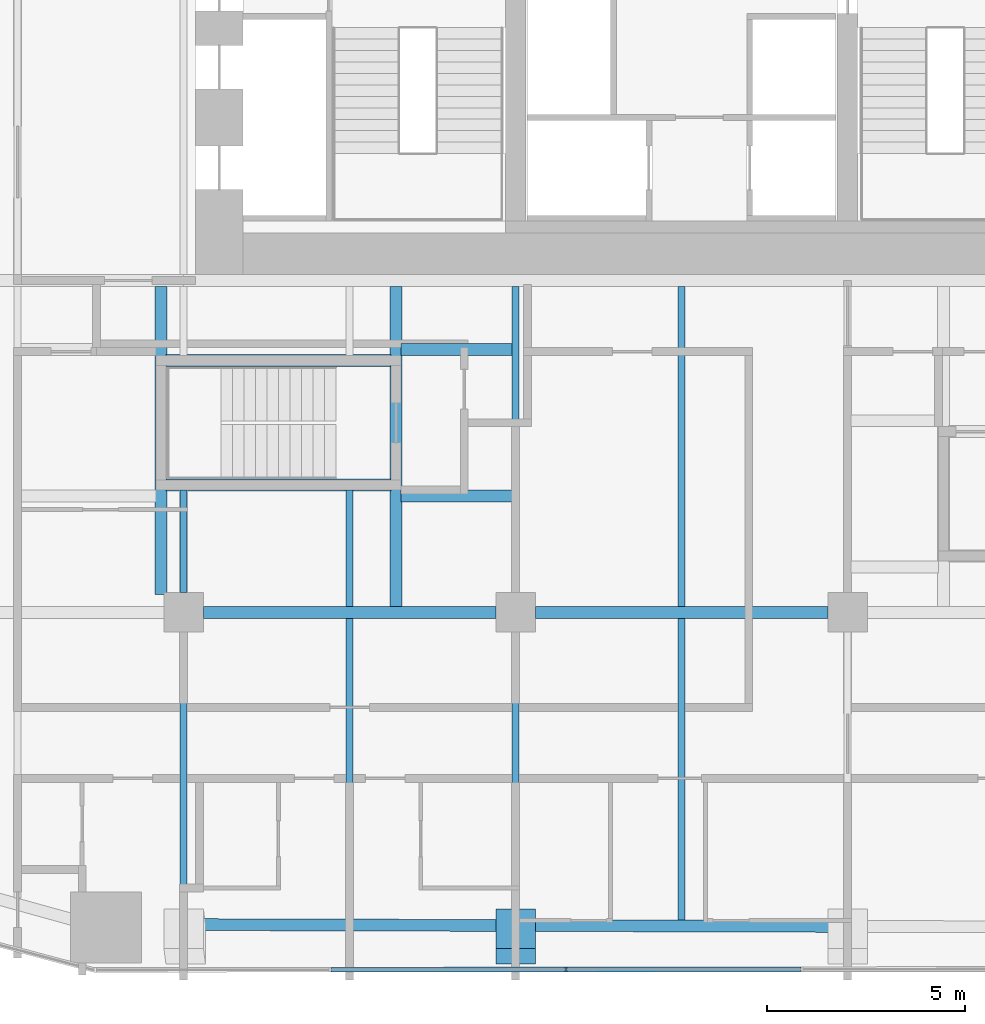
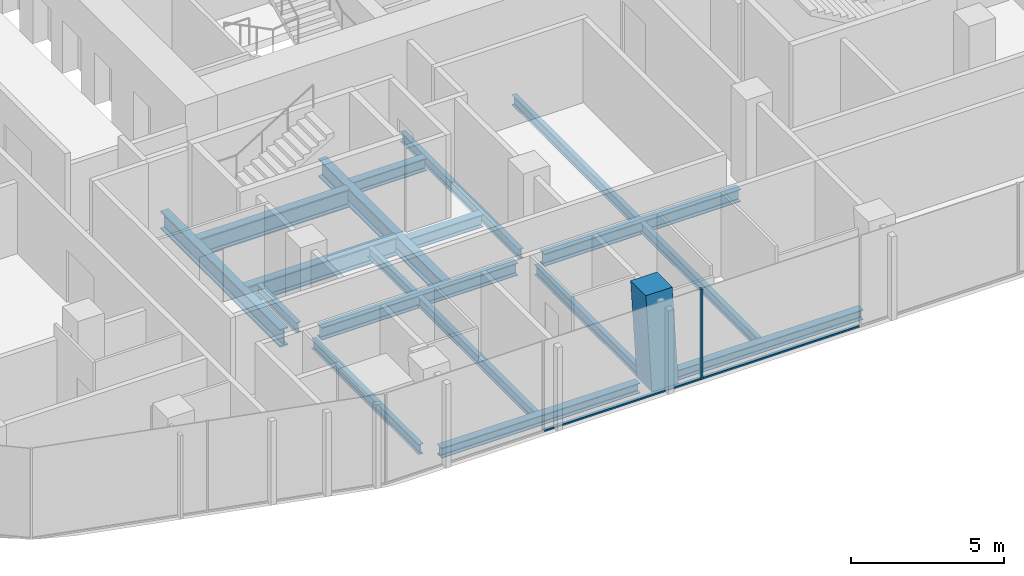
# One storey, part 3 of 27: 18 beams, 4 members, 1 element without a shape of its own.
"""IFC4 building model written with IfcOpenShell, lengths in metres."""

from ifc_helpers import new_model, si_unit, direction, frame, origin, origin_2d, place, context, subcontext, project, spatial, rectangle, i_section, extrude, material, layer, layer_set, material_profile, profile_set, type_object, element, aggregate, save


model = new_model("IFC4")

# Units and contexts
model_context = context("Model", 3, precision=1e-05, world=origin(), true_north=direction((0.0, 1.0)))
body_context = subcontext(model_context, "Body", "Model", "MODEL_VIEW")
ifc_project = project(units=[si_unit("LENGTHUNIT", "METRE"), si_unit("AREAUNIT", "SQUARE_METRE"), si_unit("VOLUMEUNIT", "CUBIC_METRE"), si_unit("PLANEANGLEUNIT", "RADIAN"), si_unit("MASSUNIT", "GRAM", prefix="KILO")], contexts=[model_context])

# Site, building, storey
site_placement = place(None, origin())
site = spatial("IfcSite", under=ifc_project, at=site_placement, CompositionType="ELEMENT")
building_placement = place(site_placement, origin())
building = spatial("IfcBuilding", under=site, at=building_placement, Name="Marenta Gate Hotel Tower", CompositionType="ELEMENT")
storey_placement = place(building_placement, frame((0.0, 0.0, 36.5)))
storey = spatial("IfcBuildingStorey", under=building, at=storey_placement, Name="L06", CompositionType="ELEMENT", Elevation=36.5)

# Beams
ifc_material_1 = material(Name="Steel S355", Category="steel")
ifc_material_profile_1 = material_profile(ifc_material_1, i_section(OverallWidth=0.300048828125, OverallDepth=0.39990234375, WebThickness=0.013427734375, FlangeThickness=0.02392578125, FilletRadius=0.027099609375, at=origin_2d()), Name="HEB 400")
ifc_profile_set_1 = profile_set([ifc_material_profile_1], Name="Steel S355")
beam_type_1 = type_object("IfcBeamType", Name="Edge beam HEB 400", PredefinedType="SPANDREL", material=ifc_profile_set_1)
for number, where, z_axis, x_axis, name in (
    (1, (3.739990234375, -16.3427734375, -0.35009765625), (-0.99999624158, 0.002741683018, 0.0), (-0.002741683018, -0.99999624158, 0.0), "L06-EB-33"),
    (2, (-4.659912109375, -16.31982421875, -0.35009765625), (-0.999996151562, 0.002774321851, 0.0), (-0.002774321851, -0.999996151562, 0.0), "L06-EB-34"),
):
    element("IfcBeam", number, at=place(storey_placement, frame(where, z_axis=z_axis, x_axis=x_axis)), inside=storey, type_object=beam_type_1, Name=name, PredefinedType="SPANDREL", context=body_context, shape_type="SweptSolid", body=[
        extrude(i_section(OverallWidth=0.300048828125, OverallDepth=0.39990234375, WebThickness=0.013427734375, FlangeThickness=0.02392578125, FilletRadius=0.027099609375, at=origin_2d()), origin(), (0.0, 0.0, 1.0), 7.47998046875),
    ])

# Member
ifc_material_2 = material(Name="Concrete C80", Category="concrete")
ifc_material_profile_2 = material_profile(ifc_material_2, rectangle(XDim=1.0, YDim=1.0, at=origin_2d()), Name="1000 x 1000")
ifc_profile_set_2 = profile_set([ifc_material_profile_2], Name="Concrete C80")
member_type_1 = type_object("IfcMemberType", Name="Edge column raked 1000 x 1000 C80", PredefinedType="STRUT", material=ifc_profile_set_2)
member_1_placement = place(storey_placement, frame((-4.199951171875, -16.800048828125, 0.0), z_axis=(0.0, 0.0, 1.0), x_axis=(1.0, 0.0, 0.0)))
element("IfcMember", 3, at=member_1_placement, inside=storey, type_object=member_type_1, Name="L06-EC-SKE-SKW-3", PredefinedType="STRUT", context=body_context, shape_type="SweptSolid", body=[
    extrude(rectangle(XDim=1.0, YDim=1.0, at=origin_2d()), origin(), (0.0, 0.110468513774, 0.993879624232), 3.622314453125),
])

# Beams
ifc_material_3 = material(Name="Steel S355", Category="steel")
ifc_material_profile_3 = material_profile(ifc_material_3, i_section(OverallWidth=0.179931640625, OverallDepth=0.39990234375, WebThickness=0.008544921875, FlangeThickness=0.013427734375, FilletRadius=0.02099609375, at=origin_2d()), Name="IPE 400")
ifc_profile_set_3 = profile_set([ifc_material_profile_3], Name="Steel S355")
beam_type_2 = type_object("IfcBeamType", Name="Floor beam IPE 400", PredefinedType="JOIST", material=ifc_profile_set_3)
beam_1_placement = place(storey_placement, frame((-12.60009765625, -15.89990234375, -0.35009765625), z_axis=(0.0, 1.0, 0.0), x_axis=(-1.0, 0.0, 0.0)))
element("IfcBeam", 4, at=beam_1_placement, inside=storey, type_object=beam_type_2, Name="L06-FB-20", PredefinedType="JOIST", context=body_context, shape_type="SweptSolid", body=[
    extrude(i_section(OverallWidth=0.179931640625, OverallDepth=0.39990234375, WebThickness=0.008544921875, FlangeThickness=0.013427734375, FilletRadius=0.02099609375, at=origin_2d()), origin(), (0.0, 0.0, 1.0), 7.0),
])
beam_2_placement = place(storey_placement, frame((-12.60009765625, -7.89990234375, -0.35009765625), z_axis=(0.0, 1.0, 0.0), x_axis=(-1.0, 0.0, 0.0)))
element("IfcBeam", 5, at=beam_2_placement, inside=storey, type_object=beam_type_2, Name="L06-FB-21", PredefinedType="JOIST", context=body_context, shape_type="SweptSolid", body=[
    extrude(i_section(OverallWidth=0.179931640625, OverallDepth=0.39990234375, WebThickness=0.008544921875, FlangeThickness=0.013427734375, FilletRadius=0.02099609375, at=origin_2d()), origin(), (0.0, 0.0, 1.0), 2.599853515625),
])
beam_3_placement = place(storey_placement, frame((-8.39990234375, -16.159423828125, -0.35009765625), z_axis=(0.0, 1.0, 0.0), x_axis=(-1.0, 0.0, 0.0)))
element("IfcBeam", 6, at=beam_3_placement, inside=storey, type_object=beam_type_2, Name="L06-FB-27", PredefinedType="JOIST", context=body_context, shape_type="SweptSolid", body=[
    extrude(i_section(OverallWidth=0.179931640625, OverallDepth=0.39990234375, WebThickness=0.008544921875, FlangeThickness=0.013427734375, FilletRadius=0.02099609375, at=origin_2d()), origin(), (0.0, 0.0, 1.0), 7.609375),
])
beam_4_placement = place(storey_placement, frame((-8.39990234375, -8.25, -0.35009765625), z_axis=(0.0, 1.0, 0.0), x_axis=(-1.0, 0.0, 0.0)))
element("IfcBeam", 7, at=beam_4_placement, inside=storey, type_object=beam_type_2, Name="L06-FB-28", PredefinedType="JOIST", context=body_context, shape_type="SweptSolid", body=[
    extrude(i_section(OverallWidth=0.179931640625, OverallDepth=0.39990234375, WebThickness=0.008544921875, FlangeThickness=0.013427734375, FilletRadius=0.02099609375, at=origin_2d()), origin(), (0.0, 0.0, 1.0), 2.949951171875),
])
beam_5_placement = place(storey_placement, frame((-4.199951171875, -15.89990234375, -0.35009765625), z_axis=(0.0, 1.0, 0.0), x_axis=(-1.0, 0.0, 0.0)))
element("IfcBeam", 8, at=beam_5_placement, inside=storey, type_object=beam_type_2, Name="L06-FB-32", PredefinedType="JOIST", context=body_context, shape_type="SweptSolid", body=[
    extrude(i_section(OverallWidth=0.179931640625, OverallDepth=0.39990234375, WebThickness=0.008544921875, FlangeThickness=0.013427734375, FilletRadius=0.02099609375, at=origin_2d()), origin(), (0.0, 0.0, 1.0), 7.0),
])
beam_6_placement = place(storey_placement, frame((-4.199951171875, -7.89990234375, -0.35009765625), z_axis=(0.0, 1.0, 0.0), x_axis=(-1.0, 0.0, 0.0)))
element("IfcBeam", 9, at=beam_6_placement, inside=storey, type_object=beam_type_2, Name="L06-FB-33", PredefinedType="JOIST", context=body_context, shape_type="SweptSolid", body=[
    extrude(i_section(OverallWidth=0.179931640625, OverallDepth=0.39990234375, WebThickness=0.008544921875, FlangeThickness=0.013427734375, FilletRadius=0.02099609375, at=origin_2d()), origin(), (0.0, 0.0, 1.0), 7.75),
])
beam_7_placement = place(storey_placement, frame((0.0, -16.1826171875, -0.35009765625), z_axis=(0.0, 1.0, 0.0), x_axis=(-1.0, 0.0, 0.0)))
element("IfcBeam", 10, at=beam_7_placement, inside=storey, type_object=beam_type_2, Name="L06-FB-36", PredefinedType="JOIST", context=body_context, shape_type="SweptSolid", body=[
    extrude(i_section(OverallWidth=0.179931640625, OverallDepth=0.39990234375, WebThickness=0.008544921875, FlangeThickness=0.013427734375, FilletRadius=0.02099609375, at=origin_2d()), origin(), (0.0, 0.0, 1.0), 7.632568359375),
])
beam_8_placement = place(storey_placement, frame((0.0, -8.25, -0.35009765625), z_axis=(0.0, 1.0, 0.0), x_axis=(-1.0, 0.0, 0.0)))
element("IfcBeam", 11, at=beam_8_placement, inside=storey, type_object=beam_type_2, Name="L06-FB-37", PredefinedType="JOIST", context=body_context, shape_type="SweptSolid", body=[
    extrude(i_section(OverallWidth=0.179931640625, OverallDepth=0.39990234375, WebThickness=0.008544921875, FlangeThickness=0.013427734375, FilletRadius=0.02099609375, at=origin_2d()), origin(), (0.0, 0.0, 1.0), 8.10009765625),
])
ifc_material_4 = material(Name="Steel S355", Category="steel")
ifc_material_profile_4 = material_profile(ifc_material_4, i_section(OverallWidth=0.300048828125, OverallDepth=0.5, WebThickness=0.014404296875, FlangeThickness=0.028076171875, FilletRadius=0.027099609375, at=origin_2d()), Name="HEB 500")
ifc_profile_set_4 = profile_set([ifc_material_profile_4], Name="Steel S355")
beam_type_3 = type_object("IfcBeamType", Name="Girder HEB 500", PredefinedType="BEAM", material=ifc_profile_set_4)
beam_9_placement = place(storey_placement, frame((-12.10009765625, -8.39990234375, -0.39990234375), z_axis=(1.0, 0.0, 0.0), x_axis=(0.0, 1.0, 0.0)))
element("IfcBeam", 12, at=beam_9_placement, inside=storey, type_object=beam_type_3, Name="L06-GD-3", PredefinedType="BEAM", context=body_context, shape_type="SweptSolid", body=[
    extrude(i_section(OverallWidth=0.300048828125, OverallDepth=0.5, WebThickness=0.014404296875, FlangeThickness=0.028076171875, FilletRadius=0.027099609375, at=origin_2d()), origin(), (0.0, 0.0, 1.0), 7.400146484375),
])
beam_10_placement = place(storey_placement, frame((-3.699951171875, -8.39990234375, -0.39990234375), z_axis=(1.0, 0.0, 0.0), x_axis=(0.0, 1.0, 0.0)))
element("IfcBeam", 13, at=beam_10_placement, inside=storey, type_object=beam_type_3, Name="L06-GD-4", PredefinedType="BEAM", context=body_context, shape_type="SweptSolid", body=[
    extrude(i_section(OverallWidth=0.300048828125, OverallDepth=0.5, WebThickness=0.014404296875, FlangeThickness=0.028076171875, FilletRadius=0.027099609375, at=origin_2d()), origin(), (0.0, 0.0, 1.0), 7.39990234375),
])

# Curtain wall, member
ifc_material_5 = material(Name="Tinted insulated glass in bronze anodised frame", Category="glass")
ifc_layer = layer(ifc_material_5, 0.1201171875)
ifc_layer_set = layer_set([ifc_layer], Name="Tinted insulated glass in bronze anodised frame")
curtain_wall_type = type_object("IfcCurtainWallType", Name="Tower unitised curtain wall CW1", PredefinedType="NOTDEFINED", material=ifc_layer_set)
curtain_wall_placement = place(storey_placement, origin())
curtain_wall = element("IfcCurtainWall", 14, at=curtain_wall_placement, inside=storey, type_object=curtain_wall_type, Name="CW1 run G07", PredefinedType="NOTDEFINED")
ifc_material_6 = material(Name="Bronze anodised aluminium", Category="aluminium")
ifc_material_profile_5 = material_profile(ifc_material_6, rectangle(XDim=0.1201171875, YDim=0.06005859375, at=origin_2d()), Name="Mullion CW1 60x120 bronze anodised aluminium")
ifc_profile_set_5 = profile_set([ifc_material_profile_5], Name="Bronze anodised aluminium")
member_type_2 = type_object("IfcMemberType", Name="Mullion CW1 60x120 bronze anodised aluminium", PredefinedType="MULLION", material=ifc_profile_set_5)
member_2_placement = place(storey_placement, frame((-2.9248046875, -17.433837890625, 0.0), z_axis=(0.0, 0.0, 1.0), x_axis=(-0.001161921639, 0.999999324969, 0.0)))
member_2 = element("IfcMember", 15, at=member_2_placement, type_object=member_type_2, Name="CW1 mullion 3", PredefinedType="MULLION", context=body_context, shape_type="SweptSolid", body=[
    extrude(rectangle(XDim=0.1201171875, YDim=0.06005859375, at=origin_2d()), origin(), (0.0, 0.0, 1.0), 3.60009765625),
])

# Beams
ifc_material_7 = material(Name="Steel S355", Category="steel")
ifc_material_profile_6 = material_profile(ifc_material_7, i_section(OverallWidth=0.303955078125, OverallDepth=0.716064453125, WebThickness=0.027099609375, FlangeThickness=0.048095703125, FilletRadius=0.027099609375, at=origin_2d()), Name="HEM 700")
ifc_profile_set_6 = profile_set([ifc_material_profile_6], Name="Steel S355")
beam_type_4 = type_object("IfcBeamType", Name="Stair wall transfer beam HEM 700", PredefinedType="BEAM", material=ifc_profile_set_6)
beam_11_placement = place(storey_placement, frame((-13.175048828125, -7.949951171875, -0.508056640625), z_axis=(0.0, 1.0, 0.0), x_axis=(-1.0, 0.0, 0.0)))
element("IfcBeam", 16, at=beam_11_placement, inside=storey, type_object=beam_type_4, Name="L06-XB-RS-Z1-2-a", PredefinedType="BEAM", context=body_context, shape_type="SweptSolid", body=[
    extrude(i_section(OverallWidth=0.303955078125, OverallDepth=0.716064453125, WebThickness=0.027099609375, FlangeThickness=0.048095703125, FilletRadius=0.027099609375, at=origin_2d()), origin(), (0.0, 0.0, 1.0), 7.800048828125),
])
beam_12_placement = place(storey_placement, frame((-7.22509765625, -8.25, -0.508056640625), z_axis=(0.0, 1.0, 0.0), x_axis=(-1.0, 0.0, 0.0)))
element("IfcBeam", 17, at=beam_12_placement, inside=storey, type_object=beam_type_4, Name="L06-XB-RS-Z1-2-b", PredefinedType="BEAM", context=body_context, shape_type="SweptSolid", body=[
    extrude(i_section(OverallWidth=0.303955078125, OverallDepth=0.716064453125, WebThickness=0.027099609375, FlangeThickness=0.048095703125, FilletRadius=0.027099609375, at=origin_2d()), origin(), (0.0, 0.0, 1.0), 8.10009765625),
])
for number, where, z_axis, x_axis, name in (
    (18, (-13.050048828125, -5.175048828125, -0.508056640625), (1.0, 0.0, 0.0), (0.0, 1.0, 0.0), "L06-XB-RS-Z1-2-c"),
    (19, (-13.050048828125, -2.02490234375, -0.508056640625), (1.0, 0.0, 0.0), (0.0, 1.0, 0.0), "L06-XB-RS-Z1-2-d"),
):
    element("IfcBeam", number, at=place(storey_placement, frame(where, z_axis=z_axis, x_axis=x_axis)), inside=storey, type_object=beam_type_4, Name=name, PredefinedType="BEAM", context=body_context, shape_type="SweptSolid", body=[
        extrude(i_section(OverallWidth=0.303955078125, OverallDepth=0.716064453125, WebThickness=0.027099609375, FlangeThickness=0.048095703125, FilletRadius=0.027099609375, at=origin_2d()), origin(), (0.0, 0.0, 1.0), 5.699951171875),
    ])

# Member
ifc_material_8 = material(Name="Bronze anodised aluminium", Category="aluminium")
ifc_material_profile_7 = material_profile(ifc_material_8, rectangle(XDim=0.1201171875, YDim=0.06005859375, at=origin_2d()), Name="Transom CW1 60x120 bronze anodised aluminium")
ifc_profile_set_7 = profile_set([ifc_material_profile_7], Name="Bronze anodised aluminium")
member_type_3 = type_object("IfcMemberType", Name="Transom CW1 60x120 bronze anodised aluminium", PredefinedType="USERDEFINED", material=ifc_profile_set_7)
member_3_placement = place(storey_placement, frame((-8.86767578125, -17.44091796875, 0.030029296875), z_axis=(0.999999283109, 0.001197406136, 0.0), x_axis=(-0.001197406136, 0.999999283109, 0.0)))
member_3 = element("IfcMember", 20, at=member_3_placement, type_object=member_type_3, Name="CW1 transom 2.1", ObjectType="TRANSOM", PredefinedType="USERDEFINED", context=body_context, shape_type="SweptSolid", body=[
    extrude(rectangle(XDim=0.1201171875, YDim=0.06005859375, at=origin_2d()), origin(), (0.0, 0.0, 1.0), 5.912841796875),
])

member_4_placement = place(storey_placement, frame((-2.894775390625, -17.433837890625, 0.030029296875), z_axis=(0.999999331697, 0.001156116326, 0.0), x_axis=(-0.001156116326, 0.999999331697, 0.0)))
member_4 = element("IfcMember", 21, at=member_4_placement, type_object=member_type_3, Name="CW1 transom 3.1", ObjectType="TRANSOM", PredefinedType="USERDEFINED", context=body_context, shape_type="SweptSolid", body=[
    extrude(rectangle(XDim=0.1201171875, YDim=0.06005859375, at=origin_2d()), origin(), (0.0, 0.0, 1.0), 5.912841796875),
])

aggregate(curtain_wall, [member_2, member_3, member_4])

# Beams
ifc_material_9 = material(Name="Steel S355", Category="steel")
ifc_material_profile_8 = material_profile(ifc_material_9, i_section(OverallWidth=0.300048828125, OverallDepth=0.5, WebThickness=0.014404296875, FlangeThickness=0.028076171875, FilletRadius=0.027099609375, at=origin_2d()), Name="HEB 500")
ifc_profile_set_8 = profile_set([ifc_material_profile_8], Name="Steel S355")
beam_type_5 = type_object("IfcBeamType", Name="Trimmer HEB 500", PredefinedType="BEAM", material=ifc_profile_set_8)
for number, where, z_axis, x_axis, name in (
    (22, (-7.10009765625, -5.449951171875, -0.39990234375), (1.0, 0.0, 0.0), (0.0, 1.0, 0.0), "L06-TR-6"),
    (23, (-7.10009765625, -1.75, -0.39990234375), (1.0, 0.0, 0.0), (0.0, 1.0, 0.0), "L06-TR-8"),
):
    element("IfcBeam", number, at=place(storey_placement, frame(where, z_axis=z_axis, x_axis=x_axis)), inside=storey, type_object=beam_type_5, Name=name, PredefinedType="BEAM", context=body_context, shape_type="SweptSolid", body=[
        extrude(i_section(OverallWidth=0.300048828125, OverallDepth=0.5, WebThickness=0.014404296875, FlangeThickness=0.028076171875, FilletRadius=0.027099609375, at=origin_2d()), origin(), (0.0, 0.0, 1.0), 2.81005859375),
    ])

save(model, "model.ifc")
